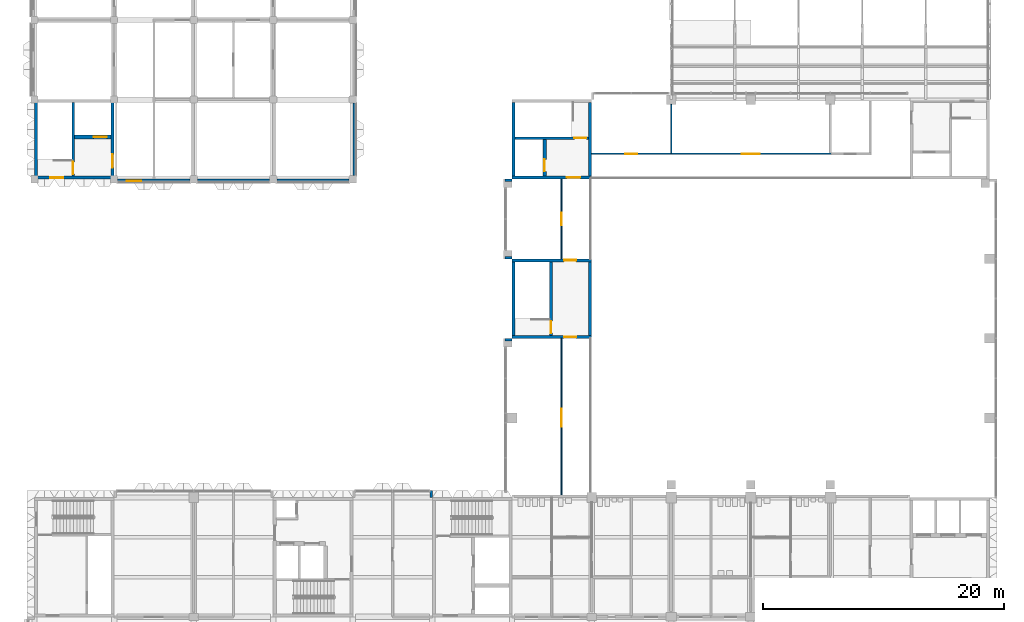
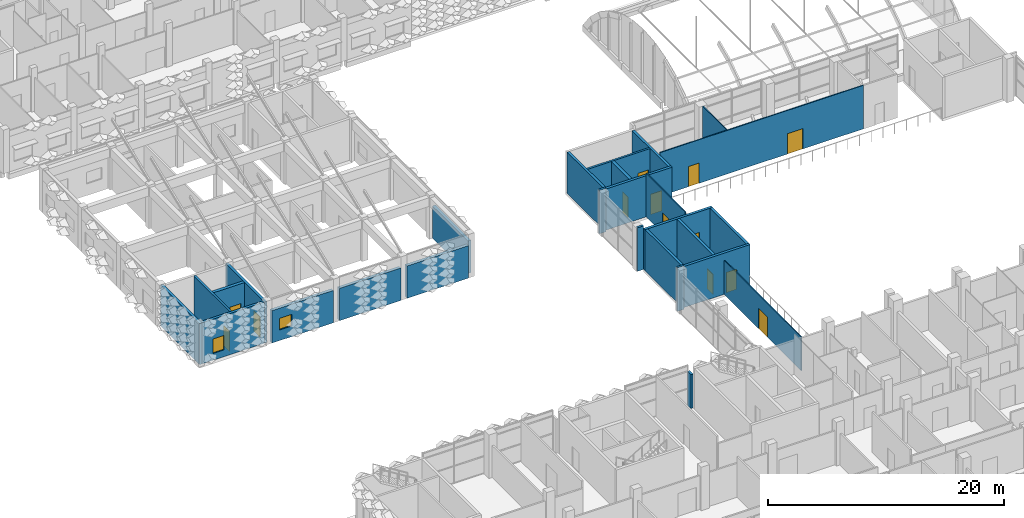
# One storey, part 45 of 102: 27 walls, 13 doors, 2 windows, 15 openings.
"""IFC4 building model written with IfcOpenShell, lengths in metres."""

from ifc_helpers import new_model, si_unit, direction, frame, frame_2d, origin, place, context, subcontext, project, spatial, rectangle, extrude, material, layer, layer_set, type_object, element, fill, save


model = new_model("IFC4")

# Units and contexts
model_context = context("Model", 3, precision=1e-05, world=origin(), true_north=direction((0.0, 1.0)))
body_context = subcontext(model_context, "Body", "Model", "MODEL_VIEW")
ifc_project = project(units=[si_unit("LENGTHUNIT", "METRE"), si_unit("AREAUNIT", "SQUARE_METRE"), si_unit("VOLUMEUNIT", "CUBIC_METRE"), si_unit("PLANEANGLEUNIT", "RADIAN"), si_unit("MASSUNIT", "GRAM", prefix="KILO")], contexts=[model_context])

# Site, building, storey
site_placement = place(None, origin())
site = spatial("IfcSite", under=ifc_project, at=site_placement, CompositionType="ELEMENT")
building_placement = place(site_placement, origin())
building = spatial("IfcBuilding", under=site, at=building_placement, Name="Lantern Court Research Institute", CompositionType="ELEMENT")
storey_placement = place(building_placement, frame((0.0, 0.0, 9.89990234375)))
storey = spatial("IfcBuildingStorey", under=building, at=storey_placement, Name="L02", CompositionType="ELEMENT", Elevation=9.89990234375)

# Wall
ifc_material_1 = material(Name="Aluminium composite panel with mineral wool insulation", Category="aluminium")
ifc_layer_1 = layer(ifc_material_1, 0.300048828125)
ifc_layer_set_1 = layer_set([ifc_layer_1], Name="Aluminium composite panel with mineral wool insulation")
wall_type_1 = type_object("IfcWallType", Name="Insulated panel wall 300 aluminium faced", PredefinedType="STANDARD", material=ifc_layer_set_1)
wall_1_placement = place(storey_placement, frame((26.550048828125, 55.800048828125, 0.0), z_axis=(0.0, 0.0, 1.0), x_axis=(0.0, -1.0, 0.0)))
element("IfcWall", 1, at=wall_1_placement, inside=storey, type_object=wall_type_1, Name="Exterior wall EW131", PredefinedType="STANDARD", context=body_context, shape_type="SweptSolid", body=[
    extrude(rectangle(XDim=6.0, YDim=0.300048828125, at=frame_2d((3.0, 0.0))), origin(), (0.0, 0.0, 1.0), 3.35009765625),
])

# Wall, opening, window
wall_2_placement = place(storey_placement, frame((12.89990234375, 49.35009765625, 0.0), z_axis=(0.0, 0.0, 1.0), x_axis=(-1.0, 0.0, 0.0)))
wall_2 = element("IfcWall", 2, at=wall_2_placement, inside=storey, type_object=wall_type_1, Name="Exterior wall EW137", PredefinedType="STANDARD", context=body_context, shape_type="SweptSolid", body=[
    extrude(rectangle(XDim=6.0, YDim=0.300048828125, at=frame_2d((3.0, 0.0))), origin(), (0.0, 0.0, 1.0), 3.35009765625),
])
opening_1_placement = place(wall_2_placement, frame((4.050048828125, 0.0, 1.10009765625)))
opening_1 = element("IfcOpeningElement", 3, at=opening_1_placement, cuts=wall_2, Name="Opening W05", PredefinedType="OPENING", context=body_context, shape_type="SweptSolid", body=[
    extrude(rectangle(XDim=1.199951171875, YDim=1.199951171875, at=frame_2d((0.60009765625, 0.60009765625))), frame((0.0, 0.159912109375, 0.0), z_axis=(0.0, -1.0, 0.0), x_axis=(1.0, 0.0, 0.0)), (0.0, 0.0, 1.0), 0.320068359375),
])
ifc_material_2 = material(Name="Aluminium frame with laminated low-emissivity glazing", Category="aluminium")
window_type_1 = type_object("IfcWindowType", Name="Corridor end window 1200 x 1200", PartitioningType="SINGLE_PANEL", PredefinedType="WINDOW", material=ifc_material_2)
window_1_placement = place(opening_1_placement, origin())
window_1 = element("IfcWindow", 4, at=window_1_placement, inside=storey, type_object=window_type_1, Name="Window W05 V3S L02", OverallHeight=1.199951171875, OverallWidth=1.199951171875, PartitioningType="SINGLE_PANEL", PredefinedType="WINDOW", context=body_context, shape_type="SweptSolid", body=[
    extrude(rectangle(XDim=1.199951171875, YDim=1.199951171875, at=frame_2d((0.60009765625, 0.60009765625))), frame((0.0, 0.030029296875, 0.0), z_axis=(0.0, -1.0, 0.0), x_axis=(1.0, 0.0, 0.0)), (0.0, 0.0, 1.0), 0.06005859375),
])
fill(opening_1, window_1)

# Walls
for number, where, z_axis, x_axis, name in (
    (5, (19.5, 49.35009765625, 0.0), (0.0, 0.0, 1.0), (-1.0, 0.0, 0.0), "Exterior wall EW138"),
    (6, (26.10009765625, 49.35009765625, 0.0), (0.0, 0.0, 1.0), (-1.0, 0.0, 0.0), "Exterior wall EW139"),
):
    element("IfcWall", number, at=place(storey_placement, frame(where, z_axis=z_axis, x_axis=x_axis)), inside=storey, type_object=wall_type_1, Name=name, PredefinedType="STANDARD", context=body_context, shape_type="SweptSolid", body=[
        extrude(rectangle(XDim=6.0, YDim=0.300048828125, at=frame_2d((3.0, 0.0))), origin(), (0.0, 0.0, 1.0), 3.35009765625),
    ])

# Wall, openings, doors
ifc_material_3 = material(Name="Gypsum board on metal studs")
ifc_layer_2 = layer(ifc_material_3, 0.10009765625)
ifc_layer_set_2 = layer_set([ifc_layer_2], Name="Gypsum board on metal studs")
wall_type_2 = type_object("IfcWallType", Name="Partition 100 mm", PredefinedType="PARTITIONING", material=ifc_layer_set_2)
wall_3_placement = place(storey_placement, frame((46.199951171875, 51.60009765625, 0.0), z_axis=(0.0, 0.0, 1.0), x_axis=(1.0, 0.0, 0.0)))
wall_3 = element("IfcWall", 7, at=wall_3_placement, inside=storey, type_object=wall_type_2, Name="Wall V2-L02-006", PredefinedType="PARTITIONING", context=body_context, shape_type="SweptSolid", body=[
    extrude(rectangle(XDim=19.875, YDim=0.10009765625, at=frame_2d((9.9375, 0.0))), origin(), (0.0, 0.0, 1.0), 4.5),
])
opening_2_placement = place(wall_3_placement, frame((2.800048828125, 0.0, 0.0)))
opening_2 = element("IfcOpeningElement", 8, at=opening_2_placement, cuts=wall_3, Name="Opening D2201", PredefinedType="OPENING", context=body_context, shape_type="SweptSolid", body=[
    extrude(rectangle(XDim=1.0, YDim=2.10009765625, at=frame_2d((0.5, 1.050048828125))), frame((0.0, 0.06005859375, 0.0), z_axis=(0.0, -1.0, 0.0), x_axis=(1.0, 0.0, 0.0)), (0.0, 0.0, 1.0), 0.1201171875),
])
opening_3_placement = place(wall_3_placement, frame((12.449951171875, 0.0, 0.0)))
opening_3 = element("IfcOpeningElement", 9, at=opening_3_placement, cuts=wall_3, Name="Opening D2202", PredefinedType="OPENING", context=body_context, shape_type="SweptSolid", body=[
    extrude(rectangle(XDim=1.5, YDim=2.10009765625, at=frame_2d((0.75, 1.050048828125))), frame((0.0, 0.06005859375, 0.0), z_axis=(0.0, -1.0, 0.0), x_axis=(1.0, 0.0, 0.0)), (0.0, 0.0, 1.0), 0.1201171875),
])
ifc_material_4 = material(Name="Timber veneered door leaf", Category="wood")
door_type_1 = type_object("IfcDoorType", Name="Door 1000 x 2100 meeting room", OperationType="NOTDEFINED", PredefinedType="DOOR", material=ifc_material_4)
door_1_placement = place(opening_2_placement, origin())
door_1 = element("IfcDoor", 10, at=door_1_placement, inside=storey, type_object=door_type_1, Name="Door D2201", OperationType="SINGLE_SWING_LEFT", OverallHeight=2.10009765625, OverallWidth=1.0, PredefinedType="DOOR", context=body_context, shape_type="SweptSolid", body=[
    extrude(rectangle(XDim=1.0, YDim=2.10009765625, at=frame_2d((0.5, 1.050048828125))), frame((0.0, 0.02490234375, 0.0), z_axis=(0.0, -1.0, 0.0), x_axis=(1.0, 0.0, 0.0)), (0.0, 0.0, 1.0), 0.050048828125),
])
fill(opening_2, door_1)
ifc_material_5 = material(Name="Timber veneered door leaf", Category="wood")
door_type_2 = type_object("IfcDoorType", Name="Door 1500 x 2100 reading room pair", OperationType="DOUBLE_DOOR_SINGLE_SWING", PredefinedType="DOOR", material=ifc_material_5)
door_2_placement = place(opening_3_placement, origin())
door_2 = element("IfcDoor", 11, at=door_2_placement, inside=storey, type_object=door_type_2, Name="Door D2202", OperationType="DOUBLE_DOOR_SINGLE_SWING", OverallHeight=2.10009765625, OverallWidth=1.5, PredefinedType="DOOR", context=body_context, shape_type="SweptSolid", body=[
    extrude(rectangle(XDim=1.5, YDim=2.10009765625, at=frame_2d((0.75, 1.050048828125))), frame((0.0, 0.02490234375, 0.0), z_axis=(0.0, -1.0, 0.0), x_axis=(1.0, 0.0, 0.0)), (0.0, 0.0, 1.0), 0.050048828125),
])
fill(opening_3, door_2)

# Wall, opening, door
wall_4_placement = place(storey_placement, frame((43.699951171875, 23.25, 0.0), z_axis=(0.0, 0.0, 1.0), x_axis=(0.0, 1.0, 0.0)))
wall_4 = element("IfcWall", 12, at=wall_4_placement, inside=storey, type_object=wall_type_2, Name="Wall V2-L02-008", PredefinedType="PARTITIONING", context=body_context, shape_type="SweptSolid", body=[
    extrude(rectangle(XDim=13.050048828125, YDim=0.10009765625, at=frame_2d((6.52490234375, 0.0))), origin(), (0.0, 0.0, 1.0), 3.5),
])
opening_4_placement = place(wall_4_placement, frame((5.699951171875, 0.0, 0.0)))
opening_4 = element("IfcOpeningElement", 13, at=opening_4_placement, cuts=wall_4, Name="Opening D2204", PredefinedType="OPENING", context=body_context, shape_type="SweptSolid", body=[
    extrude(rectangle(XDim=1.5, YDim=2.10009765625, at=frame_2d((0.75, 1.050048828125))), frame((0.0, 0.06005859375, 0.0), z_axis=(0.0, -1.0, 0.0), x_axis=(1.0, 0.0, 0.0)), (0.0, 0.0, 1.0), 0.1201171875),
])
door_3_placement = place(opening_4_placement, origin())
door_3 = element("IfcDoor", 14, at=door_3_placement, inside=storey, type_object=door_type_2, Name="Door D2204", OperationType="DOUBLE_DOOR_SINGLE_SWING", OverallHeight=2.10009765625, OverallWidth=1.5, PredefinedType="DOOR", context=body_context, shape_type="SweptSolid", body=[
    extrude(rectangle(XDim=1.5, YDim=2.10009765625, at=frame_2d((0.75, 1.050048828125))), frame((0.0, 0.02490234375, 0.0), z_axis=(0.0, -1.0, 0.0), x_axis=(1.0, 0.0, 0.0)), (0.0, 0.0, 1.0), 0.050048828125),
])
fill(opening_4, door_3)

wall_5_placement = place(storey_placement, frame((43.699951171875, 42.89990234375, 0.0), z_axis=(0.0, 0.0, 1.0), x_axis=(0.0, 1.0, 0.0)))
wall_5 = element("IfcWall", 15, at=wall_5_placement, inside=storey, type_object=wall_type_2, Name="Wall V2-L02-009", PredefinedType="PARTITIONING", context=body_context, shape_type="SweptSolid", body=[
    extrude(rectangle(XDim=6.60009765625, YDim=0.10009765625, at=frame_2d((3.300048828125, 0.0))), origin(), (0.0, 0.0, 1.0), 4.5),
])
opening_5_placement = place(wall_5_placement, frame((2.800048828125, 0.0, 0.0)))
opening_5 = element("IfcOpeningElement", 16, at=opening_5_placement, cuts=wall_5, Name="Opening D2205", PredefinedType="OPENING", context=body_context, shape_type="SweptSolid", body=[
    extrude(rectangle(XDim=1.0, YDim=2.10009765625, at=frame_2d((0.5, 1.050048828125))), frame((0.0, 0.06005859375, 0.0), z_axis=(0.0, -1.0, 0.0), x_axis=(1.0, 0.0, 0.0)), (0.0, 0.0, 1.0), 0.1201171875),
])
door_4_placement = place(opening_5_placement, origin())
door_4 = element("IfcDoor", 17, at=door_4_placement, inside=storey, type_object=door_type_1, Name="Door D2205", OperationType="SINGLE_SWING_RIGHT", OverallHeight=2.10009765625, OverallWidth=1.0, PredefinedType="DOOR", context=body_context, shape_type="SweptSolid", body=[
    extrude(rectangle(XDim=1.0, YDim=2.10009765625, at=frame_2d((0.5, 1.050048828125))), frame((0.0, 0.02490234375, 0.0), z_axis=(0.0, -1.0, 0.0), x_axis=(1.0, 0.0, 0.0)), (0.0, 0.0, 1.0), 0.050048828125),
])
fill(opening_5, door_4)

# Wall
wall_6_placement = place(storey_placement, frame((52.800048828125, 51.64990234375, 0.0), z_axis=(0.0, 0.0, 1.0), x_axis=(0.0, 1.0, 0.0)))
element("IfcWall", 18, at=wall_6_placement, inside=storey, type_object=wall_type_2, Name="Wall V2-L02-010", PredefinedType="PARTITIONING", context=body_context, shape_type="SweptSolid", body=[
    extrude(rectangle(XDim=4.050048828125, YDim=0.10009765625, at=frame_2d((2.02490234375, 0.0))), origin(), (0.0, 0.0, 1.0), 4.5),
])

# Wall, opening, door
ifc_material_6 = material(Name="Concrete C40/50", Category="concrete")
ifc_layer_3 = layer(ifc_material_6, 0.25)
ifc_layer_set_3 = layer_set([ifc_layer_3], Name="Concrete C40/50")
wall_type_3 = type_object("IfcWallType", Name="RC core wall 250", PredefinedType="SHEAR", material=ifc_layer_set_3)
wall_7_placement = place(storey_placement, frame((6.47509765625, 49.5, 0.0), z_axis=(0.0, 0.0, 1.0), x_axis=(0.0, 1.0, 0.0)))
wall_7 = element("IfcWall", 19, at=wall_7_placement, inside=storey, type_object=wall_type_3, Name="East wall of core CC-A", PredefinedType="SHEAR", context=body_context, shape_type="SweptSolid", body=[
    extrude(rectangle(XDim=6.60009765625, YDim=0.25, at=frame_2d((3.300048828125, 0.0))), origin(), (0.0, 0.0, 1.0), 4.25),
])
opening_6_placement = place(wall_7_placement, frame((0.949951171875, 0.0, 0.0)))
opening_6 = element("IfcOpeningElement", 20, at=opening_6_placement, cuts=wall_7, Name="Opening D7283", PredefinedType="OPENING", context=body_context, shape_type="SweptSolid", body=[
    extrude(rectangle(XDim=1.10009765625, YDim=2.10009765625, at=frame_2d((0.550048828125, 1.050048828125))), frame((0.0, 0.135009765625, 0.0), z_axis=(0.0, -1.0, 0.0), x_axis=(1.0, 0.0, 0.0)), (0.0, 0.0, 1.0), 0.27001953125),
])
ifc_material_7 = material(Name="Steel fire door leaf with smoke seals", Category="steel")
door_type_3 = type_object("IfcDoorType", Name="Door 1100 x 2100 fire rated FD60S", OperationType="NOTDEFINED", PredefinedType="DOOR", material=ifc_material_7)
door_5_placement = place(opening_6_placement, origin())
door_5 = element("IfcDoor", 21, at=door_5_placement, inside=storey, type_object=door_type_3, Name="Lobby door", OperationType="SINGLE_SWING_RIGHT", OverallHeight=2.10009765625, OverallWidth=1.10009765625, PredefinedType="DOOR", context=body_context, shape_type="SweptSolid", body=[
    extrude(rectangle(XDim=1.10009765625, YDim=2.10009765625, at=frame_2d((0.550048828125, 1.050048828125))), frame((0.0, 0.02490234375, 0.0), z_axis=(0.0, -1.0, 0.0), x_axis=(1.0, 0.0, 0.0)), (0.0, 0.0, 1.0), 0.050048828125),
])
fill(opening_6, door_5)

wall_8_placement = place(storey_placement, frame((39.60009765625, 49.625, 0.0), z_axis=(0.0, 0.0, 1.0), x_axis=(1.0, 0.0, 0.0)))
wall_8 = element("IfcWall", 22, at=wall_8_placement, inside=storey, type_object=wall_type_3, Name="South wall of core HC-A", PredefinedType="SHEAR", context=body_context, shape_type="SweptSolid", body=[
    extrude(rectangle(XDim=6.599853515625, YDim=0.25, at=frame_2d((3.2998046875, 0.0))), origin(), (0.0, 0.0, 1.0), 4.25),
])
opening_7_placement = place(wall_8_placement, frame((4.550048828125, 0.0, 0.0)))
opening_7 = element("IfcOpeningElement", 23, at=opening_7_placement, cuts=wall_8, Name="Opening D7310", PredefinedType="OPENING", context=body_context, shape_type="SweptSolid", body=[
    extrude(rectangle(XDim=1.10009765625, YDim=2.10009765625, at=frame_2d((0.550048828125, 1.050048828125))), frame((0.0, 0.135009765625, 0.0), z_axis=(0.0, -1.0, 0.0), x_axis=(1.0, 0.0, 0.0)), (0.0, 0.0, 1.0), 0.27001953125),
])
door_6_placement = place(opening_7_placement, origin())
door_6 = element("IfcDoor", 24, at=door_6_placement, inside=storey, type_object=door_type_3, Name="Lobby door", OperationType="SINGLE_SWING_LEFT", OverallHeight=2.10009765625, OverallWidth=1.10009765625, PredefinedType="DOOR", context=body_context, shape_type="SweptSolid", body=[
    extrude(rectangle(XDim=1.10009765625, YDim=2.10009765625, at=frame_2d((0.550048828125, 1.050048828125))), frame((0.0, 0.02490234375, 0.0), z_axis=(0.0, -1.0, 0.0), x_axis=(1.0, 0.0, 0.0)), (0.0, 0.0, 1.0), 0.050048828125),
])
fill(opening_7, door_6)

# Wall
wall_9_placement = place(storey_placement, frame((46.074951171875, 49.75, 0.0), z_axis=(0.0, 0.0, 1.0), x_axis=(0.0, 1.0, 0.0)))
element("IfcWall", 25, at=wall_9_placement, inside=storey, type_object=wall_type_3, Name="East wall of core HC-A", PredefinedType="SHEAR", context=body_context, shape_type="SweptSolid", body=[
    extrude(rectangle(XDim=6.10009765625, YDim=0.25, at=frame_2d((3.050048828125, 0.0))), origin(), (0.0, 0.0, 1.0), 4.25),
])

# Wall, opening, door
wall_10_placement = place(storey_placement, frame((39.60009765625, 36.425048828125, 0.0), z_axis=(0.0, 0.0, 1.0), x_axis=(1.0, 0.0, 0.0)))
wall_10 = element("IfcWall", 26, at=wall_10_placement, inside=storey, type_object=wall_type_3, Name="South wall of core HC-C", PredefinedType="SHEAR", context=body_context, shape_type="SweptSolid", body=[
    extrude(rectangle(XDim=6.599853515625, YDim=0.25, at=frame_2d((3.2998046875, 0.0))), origin(), (0.0, 0.0, 1.0), 4.25),
])
opening_8_placement = place(wall_10_placement, frame((4.324951171875, 0.0, 0.0)))
opening_8 = element("IfcOpeningElement", 27, at=opening_8_placement, cuts=wall_10, Name="Opening D7330", PredefinedType="OPENING", context=body_context, shape_type="SweptSolid", body=[
    extrude(rectangle(XDim=1.0, YDim=2.10009765625, at=frame_2d((0.5, 1.050048828125))), frame((0.0, 0.135009765625, 0.0), z_axis=(0.0, -1.0, 0.0), x_axis=(1.0, 0.0, 0.0)), (0.0, 0.0, 1.0), 0.27001953125),
])
ifc_material_8 = material(Name="Steel fire door leaf with smoke seals", Category="steel")
door_type_4 = type_object("IfcDoorType", Name="Door 1000 x 2100 fire rated FD60S", OperationType="NOTDEFINED", PredefinedType="DOOR", material=ifc_material_8)
door_7_placement = place(opening_8_placement, origin())
door_7 = element("IfcDoor", 28, at=door_7_placement, inside=storey, type_object=door_type_4, Name="Lobby door", OperationType="SINGLE_SWING_RIGHT", OverallHeight=2.10009765625, OverallWidth=1.0, PredefinedType="DOOR", context=body_context, shape_type="SweptSolid", body=[
    extrude(rectangle(XDim=1.0, YDim=2.10009765625, at=frame_2d((0.5, 1.050048828125))), frame((0.0, 0.02490234375, 0.0), z_axis=(0.0, -1.0, 0.0), x_axis=(1.0, 0.0, 0.0)), (0.0, 0.0, 1.0), 0.050048828125),
])
fill(opening_8, door_7)

wall_11_placement = place(storey_placement, frame((39.60009765625, 42.77490234375, 0.0), z_axis=(0.0, 0.0, 1.0), x_axis=(1.0, 0.0, 0.0)))
wall_11 = element("IfcWall", 29, at=wall_11_placement, inside=storey, type_object=wall_type_3, Name="North wall of core HC-C", PredefinedType="SHEAR", context=body_context, shape_type="SweptSolid", body=[
    extrude(rectangle(XDim=6.599853515625, YDim=0.25, at=frame_2d((3.2998046875, 0.0))), origin(), (0.0, 0.0, 1.0), 4.25),
])
opening_9_placement = place(wall_11_placement, frame((4.324951171875, 0.0, 0.0)))
opening_9 = element("IfcOpeningElement", 30, at=opening_9_placement, cuts=wall_11, Name="Opening D7331", PredefinedType="OPENING", context=body_context, shape_type="SweptSolid", body=[
    extrude(rectangle(XDim=1.0, YDim=2.10009765625, at=frame_2d((0.5, 1.050048828125))), frame((0.0, 0.135009765625, 0.0), z_axis=(0.0, -1.0, 0.0), x_axis=(1.0, 0.0, 0.0)), (0.0, 0.0, 1.0), 0.27001953125),
])
door_8_placement = place(opening_9_placement, origin())
door_8 = element("IfcDoor", 31, at=door_8_placement, inside=storey, type_object=door_type_4, Name="Lobby door", OperationType="SINGLE_SWING_RIGHT", OverallHeight=2.10009765625, OverallWidth=1.0, PredefinedType="DOOR", context=body_context, shape_type="SweptSolid", body=[
    extrude(rectangle(XDim=1.0, YDim=2.10009765625, at=frame_2d((0.5, 1.050048828125))), frame((0.0, 0.02490234375, 0.0), z_axis=(0.0, -1.0, 0.0), x_axis=(1.0, 0.0, 0.0)), (0.0, 0.0, 1.0), 0.050048828125),
])
fill(opening_9, door_8)

# Wall
ifc_material_9 = material(Name="Concrete C40/50", Category="concrete")
ifc_layer_4 = layer(ifc_material_9, 0.25)
ifc_layer_set_4 = layer_set([ifc_layer_4], Name="Concrete C40/50")
wall_type_4 = type_object("IfcWallType", Name="RC core wall 250 facade", PredefinedType="SHEAR", material=ifc_layer_set_4)
wall_12_placement = place(storey_placement, frame((0.125, 49.5, 0.0), z_axis=(0.0, 0.0, 1.0), x_axis=(0.0, 1.0, 0.0)))
element("IfcWall", 32, at=wall_12_placement, inside=storey, type_object=wall_type_4, Name="West wall of core CC-A", PredefinedType="SHEAR", context=body_context, shape_type="SweptSolid", body=[
    extrude(rectangle(XDim=6.60009765625, YDim=0.25, at=frame_2d((3.300048828125, 0.0))), origin(), (0.0, 0.0, 1.0), 4.25),
])

# Wall, opening, window
wall_13_placement = place(storey_placement, frame((6.35009765625, 49.625, 0.0), z_axis=(0.0, 0.0, 1.0), x_axis=(-1.0, 0.0, 0.0)))
wall_13 = element("IfcWall", 33, at=wall_13_placement, inside=storey, type_object=wall_type_4, Name="South wall of core CC-A", PredefinedType="SHEAR", context=body_context, shape_type="SweptSolid", body=[
    extrude(rectangle(XDim=6.10009765625, YDim=0.25, at=frame_2d((3.050048828125, 0.0))), origin(), (0.0, 0.0, 1.0), 4.25),
])
opening_10_placement = place(wall_13_placement, frame((3.949951171875, 0.0, 0.699951171875)))
opening_10 = element("IfcOpeningElement", 34, at=opening_10_placement, cuts=wall_13, Name="Opening W5", PredefinedType="OPENING", context=body_context, shape_type="SweptSolid", body=[
    extrude(rectangle(XDim=1.10009765625, YDim=1.5, at=frame_2d((0.550048828125, 0.75))), frame((0.0, 0.135009765625, 0.0), z_axis=(0.0, -1.0, 0.0), x_axis=(1.0, 0.0, 0.0)), (0.0, 0.0, 1.0), 0.27001953125),
])
ifc_material_10 = material(Name="Aluminium alloy 6063-T6 frame with laminated glass", Category="aluminium")
window_type_2 = type_object("IfcWindowType", Name="Stair window 1100 x 1500", PartitioningType="SINGLE_PANEL", PredefinedType="WINDOW", material=ifc_material_10)
window_2_placement = place(opening_10_placement, origin())
window_2 = element("IfcWindow", 35, at=window_2_placement, inside=storey, type_object=window_type_2, Name="Stair window", OverallHeight=1.5, OverallWidth=1.10009765625, PartitioningType="SINGLE_PANEL", PredefinedType="WINDOW", context=body_context, shape_type="SweptSolid", body=[
    extrude(rectangle(XDim=1.10009765625, YDim=1.5, at=frame_2d((0.550048828125, 0.75))), frame((0.0, 0.030029296875, 0.0), z_axis=(0.0, -1.0, 0.0), x_axis=(1.0, 0.0, 0.0)), (0.0, 0.0, 1.0), 0.06005859375),
])
fill(opening_10, window_2)

# Walls
wall_14_placement = place(storey_placement, frame((39.72509765625, 49.75, 0.0), z_axis=(0.0, 0.0, 1.0), x_axis=(0.0, 1.0, 0.0)))
element("IfcWall", 36, at=wall_14_placement, inside=storey, type_object=wall_type_4, Name="West wall of core HC-A", PredefinedType="SHEAR", context=body_context, shape_type="SweptSolid", body=[
    extrude(rectangle(XDim=6.10009765625, YDim=0.25, at=frame_2d((3.050048828125, 0.0))), origin(), (0.0, 0.0, 1.0), 4.25),
])
for number, where, z_axis, x_axis, name in (
    (37, (39.72509765625, 36.550048828125, 0.0), (0.0, 0.0, 1.0), (0.0, 1.0, 0.0), "West wall of core HC-C"),
    (38, (46.074951171875, 36.550048828125, 0.0), (0.0, 0.0, 1.0), (0.0, 1.0, 0.0), "East wall of core HC-C"),
):
    element("IfcWall", number, at=place(storey_placement, frame(where, z_axis=z_axis, x_axis=x_axis)), inside=storey, type_object=wall_type_4, Name=name, PredefinedType="SHEAR", context=body_context, shape_type="SweptSolid", body=[
        extrude(rectangle(XDim=6.099853515625, YDim=0.25, at=frame_2d((3.0498046875, 0.0))), origin(), (0.0, 0.0, 1.0), 4.25),
    ])

# Wall, opening, door
ifc_material_11 = material(Name="Concrete C40/50", Category="concrete")
ifc_layer_5 = layer(ifc_material_11, 0.199951171875)
ifc_layer_set_5 = layer_set([ifc_layer_5], Name="Concrete C40/50")
wall_type_5 = type_object("IfcWallType", Name="RC shaft wall 200", PredefinedType="SHEAR", material=ifc_layer_set_5)
wall_15_placement = place(storey_placement, frame((3.199951171875, 49.75, 0.0), z_axis=(0.0, 0.0, 1.0), x_axis=(0.0, 1.0, 0.0)))
wall_15 = element("IfcWall", 39, at=wall_15_placement, inside=storey, type_object=wall_type_5, Name="Stair wall of core CC-A", PredefinedType="SHEAR", context=body_context, shape_type="SweptSolid", body=[
    extrude(rectangle(XDim=6.10009765625, YDim=0.199951171875, at=frame_2d((3.050048828125, 0.0))), origin(), (0.0, 0.0, 1.0), 4.25),
])
opening_11_placement = place(wall_15_placement, frame((0.175048828125, 0.0, 0.0)))
opening_11 = element("IfcOpeningElement", 40, at=opening_11_placement, cuts=wall_15, Name="Opening D7284", PredefinedType="OPENING", context=body_context, shape_type="SweptSolid", body=[
    extrude(rectangle(XDim=1.0, YDim=2.10009765625, at=frame_2d((0.5, 1.050048828125))), frame((0.0, 0.10986328125, 0.0), z_axis=(0.0, -1.0, 0.0), x_axis=(1.0, 0.0, 0.0)), (0.0, 0.0, 1.0), 0.219970703125),
])
door_9_placement = place(opening_11_placement, origin())
door_9 = element("IfcDoor", 41, at=door_9_placement, inside=storey, type_object=door_type_4, Name="Stair door", OperationType="SINGLE_SWING_RIGHT", OverallHeight=2.10009765625, OverallWidth=1.0, PredefinedType="DOOR", context=body_context, shape_type="SweptSolid", body=[
    extrude(rectangle(XDim=1.0, YDim=2.10009765625, at=frame_2d((0.5, 1.050048828125))), frame((0.0, 0.02490234375, 0.0), z_axis=(0.0, -1.0, 0.0), x_axis=(1.0, 0.0, 0.0)), (0.0, 0.0, 1.0), 0.050048828125),
])
fill(opening_11, door_9)

wall_16_placement = place(storey_placement, frame((39.85009765625, 52.89990234375, 0.0), z_axis=(0.0, 0.0, 1.0), x_axis=(1.0, 0.0, 0.0)))
wall_16 = element("IfcWall", 42, at=wall_16_placement, inside=storey, type_object=wall_type_5, Name="Stair wall of core HC-A", PredefinedType="SHEAR", context=body_context, shape_type="SweptSolid", body=[
    extrude(rectangle(XDim=6.099853515625, YDim=0.199951171875, at=frame_2d((3.0498046875, 0.0))), origin(), (0.0, 0.0, 1.0), 4.25),
])
opening_12_placement = place(wall_16_placement, frame((4.925048828125, 0.0, 0.0)))
opening_12 = element("IfcOpeningElement", 43, at=opening_12_placement, cuts=wall_16, Name="Opening D7311", PredefinedType="OPENING", context=body_context, shape_type="SweptSolid", body=[
    extrude(rectangle(XDim=1.0, YDim=2.10009765625, at=frame_2d((0.5, 1.050048828125))), frame((0.0, 0.10986328125, 0.0), z_axis=(0.0, -1.0, 0.0), x_axis=(1.0, 0.0, 0.0)), (0.0, 0.0, 1.0), 0.219970703125),
])
door_10_placement = place(opening_12_placement, origin())
door_10 = element("IfcDoor", 44, at=door_10_placement, inside=storey, type_object=door_type_4, Name="Stair door", OperationType="SINGLE_SWING_LEFT", OverallHeight=2.10009765625, OverallWidth=1.0, PredefinedType="DOOR", context=body_context, shape_type="SweptSolid", body=[
    extrude(rectangle(XDim=1.0, YDim=2.10009765625, at=frame_2d((0.5, 1.050048828125))), frame((0.0, 0.02490234375, 0.0), z_axis=(0.0, -1.0, 0.0), x_axis=(1.0, 0.0, 0.0)), (0.0, 0.0, 1.0), 0.050048828125),
])
fill(opening_12, door_10)

ifc_material_12 = material(Name="Concrete C40/50", Category="concrete")
ifc_layer_6 = layer(ifc_material_12, 0.25)
ifc_layer_set_6 = layer_set([ifc_layer_6], Name="Concrete C40/50")
wall_type_6 = type_object("IfcWallType", Name="RC shaft wall 250", PredefinedType="SHEAR", material=ifc_layer_set_6)
wall_17_placement = place(storey_placement, frame((42.824951171875, 36.550048828125, 0.0), z_axis=(0.0, 0.0, 1.0), x_axis=(0.0, 1.0, 0.0)))
wall_17 = element("IfcWall", 45, at=wall_17_placement, inside=storey, type_object=wall_type_6, Name="Stair wall of core HC-C", PredefinedType="SHEAR", context=body_context, shape_type="SweptSolid", body=[
    extrude(rectangle(XDim=6.099853515625, YDim=0.25, at=frame_2d((3.0498046875, 0.0))), origin(), (0.0, 0.0, 1.0), 4.25),
])
opening_13_placement = place(wall_17_placement, frame((0.175048828125, 0.0, 0.0)))
opening_13 = element("IfcOpeningElement", 46, at=opening_13_placement, cuts=wall_17, Name="Opening D7332", PredefinedType="OPENING", context=body_context, shape_type="SweptSolid", body=[
    extrude(rectangle(XDim=1.0, YDim=2.10009765625, at=frame_2d((0.5, 1.050048828125))), frame((0.0, 0.135009765625, 0.0), z_axis=(0.0, -1.0, 0.0), x_axis=(1.0, 0.0, 0.0)), (0.0, 0.0, 1.0), 0.27001953125),
])
door_11_placement = place(opening_13_placement, origin())
door_11 = element("IfcDoor", 47, at=door_11_placement, inside=storey, type_object=door_type_4, Name="Stair door", OperationType="SINGLE_SWING_RIGHT", OverallHeight=2.10009765625, OverallWidth=1.0, PredefinedType="DOOR", context=body_context, shape_type="SweptSolid", body=[
    extrude(rectangle(XDim=1.0, YDim=2.10009765625, at=frame_2d((0.5, 1.050048828125))), frame((0.0, 0.02490234375, 0.0), z_axis=(0.0, -1.0, 0.0), x_axis=(1.0, 0.0, 0.0)), (0.0, 0.0, 1.0), 0.050048828125),
])
fill(opening_13, door_11)

ifc_material_13 = material(Name="Concrete C40/50", Category="concrete")
ifc_layer_7 = layer(ifc_material_13, 0.300048828125)
ifc_layer_set_7 = layer_set([ifc_layer_7], Name="Concrete C40/50")
wall_type_7 = type_object("IfcWallType", Name="RC shaft wall 300", PredefinedType="SHEAR", material=ifc_layer_set_7)
wall_18_placement = place(storey_placement, frame((6.35009765625, 53.0, 0.0), z_axis=(0.0, 0.0, 1.0), x_axis=(-1.0, 0.0, 0.0)))
wall_18 = element("IfcWall", 48, at=wall_18_placement, inside=storey, type_object=wall_type_7, Name="Lift shaft wall of core CC-A", PredefinedType="SHEAR", context=body_context, shape_type="SweptSolid", body=[
    extrude(rectangle(XDim=3.050048828125, YDim=0.300048828125, at=frame_2d((1.52490234375, 0.0))), origin(), (0.0, 0.0, 1.0), 4.25),
])
opening_14_placement = place(wall_18_placement, frame((0.35009765625, 0.0, 0.0)))
opening_14 = element("IfcOpeningElement", 49, at=opening_14_placement, cuts=wall_18, Name="Opening D7285", PredefinedType="OPENING", context=body_context, shape_type="SweptSolid", body=[
    extrude(rectangle(XDim=1.10009765625, YDim=2.199951171875, at=frame_2d((0.550048828125, 1.10009765625))), frame((0.0, 0.159912109375, 0.0), z_axis=(0.0, -1.0, 0.0), x_axis=(1.0, 0.0, 0.0)), (0.0, 0.0, 1.0), 0.320068359375),
])
ifc_material_14 = material(Name="Stainless steel landing door panels", Category="steel")
door_type_5 = type_object("IfcDoorType", Name="Lift landing door 1100 x 2200 sliding FD60", OperationType="DOUBLE_DOOR_SLIDING", PredefinedType="NOTDEFINED", material=ifc_material_14)
door_12_placement = place(opening_14_placement, origin())
door_12 = element("IfcDoor", 50, at=door_12_placement, inside=storey, type_object=door_type_5, Name="Landing door", OperationType="DOUBLE_DOOR_SLIDING", OverallHeight=2.199951171875, OverallWidth=1.10009765625, PredefinedType="NOTDEFINED", context=body_context, shape_type="SweptSolid", body=[
    extrude(rectangle(XDim=1.10009765625, YDim=2.199951171875, at=frame_2d((0.550048828125, 1.10009765625))), frame((0.0, 0.02490234375, 0.0), z_axis=(0.0, -1.0, 0.0), x_axis=(1.0, 0.0, 0.0)), (0.0, 0.0, 1.0), 0.050048828125),
])
fill(opening_14, door_12)

wall_19_placement = place(storey_placement, frame((42.300048828125, 49.75, 0.0), z_axis=(0.0, 0.0, 1.0), x_axis=(0.0, 1.0, 0.0)))
wall_19 = element("IfcWall", 51, at=wall_19_placement, inside=storey, type_object=wall_type_7, Name="Lift shaft wall of core HC-A", PredefinedType="SHEAR", context=body_context, shape_type="SweptSolid", body=[
    extrude(rectangle(XDim=3.050048828125, YDim=0.300048828125, at=frame_2d((1.52490234375, 0.0))), origin(), (0.0, 0.0, 1.0), 4.25),
])
opening_15_placement = place(wall_19_placement, frame((0.39990234375, 0.0, 0.0)))
opening_15 = element("IfcOpeningElement", 52, at=opening_15_placement, cuts=wall_19, Name="Opening D7312", PredefinedType="OPENING", context=body_context, shape_type="SweptSolid", body=[
    extrude(rectangle(XDim=1.0, YDim=2.10009765625, at=frame_2d((0.5, 1.050048828125))), frame((0.0, 0.159912109375, 0.0), z_axis=(0.0, -1.0, 0.0), x_axis=(1.0, 0.0, 0.0)), (0.0, 0.0, 1.0), 0.320068359375),
])
ifc_material_15 = material(Name="Stainless steel landing door panels", Category="steel")
door_type_6 = type_object("IfcDoorType", Name="Lift landing door 1000 x 2100 sliding FD60", OperationType="DOUBLE_DOOR_SLIDING", PredefinedType="NOTDEFINED", material=ifc_material_15)
door_13_placement = place(opening_15_placement, origin())
door_13 = element("IfcDoor", 53, at=door_13_placement, inside=storey, type_object=door_type_6, Name="Landing door", OperationType="DOUBLE_DOOR_SLIDING", OverallHeight=2.10009765625, OverallWidth=1.0, PredefinedType="NOTDEFINED", context=body_context, shape_type="SweptSolid", body=[
    extrude(rectangle(XDim=1.0, YDim=2.10009765625, at=frame_2d((0.5, 1.050048828125))), frame((0.0, 0.02490234375, 0.0), z_axis=(0.0, -1.0, 0.0), x_axis=(1.0, 0.0, 0.0)), (0.0, 0.0, 1.0), 0.050048828125),
])
fill(opening_15, door_13)

# Walls
ifc_material_16 = material(Name="Concrete C40/50", Category="concrete")
ifc_layer_8 = layer(ifc_material_16, 0.199951171875)
ifc_layer_set_8 = layer_set([ifc_layer_8], Name="Concrete C40/50")
wall_type_8 = type_object("IfcWallType", Name="Return wall 200 concrete EI 120 aluminium faced", PredefinedType="STANDARD", material=ifc_layer_set_8)
for number, where, z_axis, x_axis, name in (
    (54, (39.60009765625, 36.199951171875, 0.0), (0.0, 0.0, 1.0), (-1.0, 0.0, 0.0), "Core return wall 23"),
    (55, (39.60009765625, 43.0, 0.0), (0.0, 0.0, 1.0), (-1.0, 0.0, 0.0), "Core return wall 24"),
    (56, (39.60009765625, 49.39990234375, 0.0), (0.0, 0.0, 1.0), (-1.0, 0.0, 0.0), "Core return wall 25"),
):
    element("IfcWall", number, at=place(storey_placement, frame(where, z_axis=z_axis, x_axis=x_axis)), inside=storey, type_object=wall_type_8, Name=name, PredefinedType="STANDARD", context=body_context, shape_type="SweptSolid", body=[
        extrude(rectangle(XDim=0.60009765625, YDim=0.199951171875, at=frame_2d((0.300048828125, 0.0))), origin(), (0.0, 0.0, 1.0), 4.5),
    ])
wall_20_placement = place(storey_placement, frame((32.89990234375, 23.10009765625, 0.0), z_axis=(0.0, 0.0, 1.0), x_axis=(0.0, 1.0, 0.0)))
element("IfcWall", 57, at=wall_20_placement, inside=storey, type_object=wall_type_8, Name="Core return wall 29", PredefinedType="STANDARD", context=body_context, shape_type="SweptSolid", body=[
    extrude(rectangle(XDim=0.599853515625, YDim=0.199951171875, at=frame_2d((0.2998046875, 0.0))), origin(), (0.0, 0.0, 1.0), 3.5),
])

save(model, "model.ifc")
